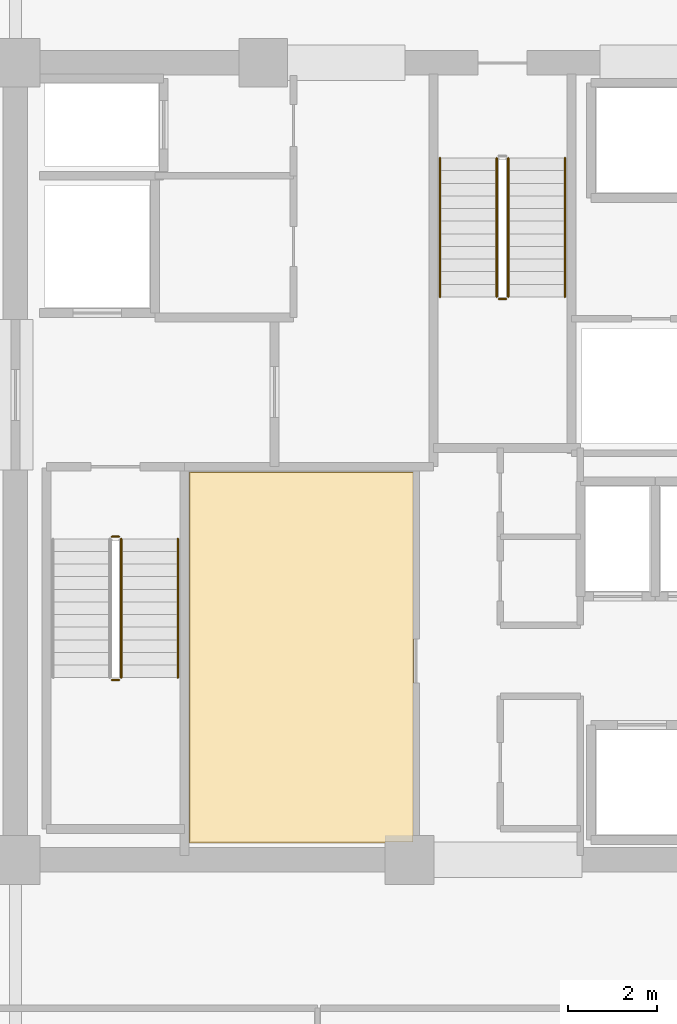
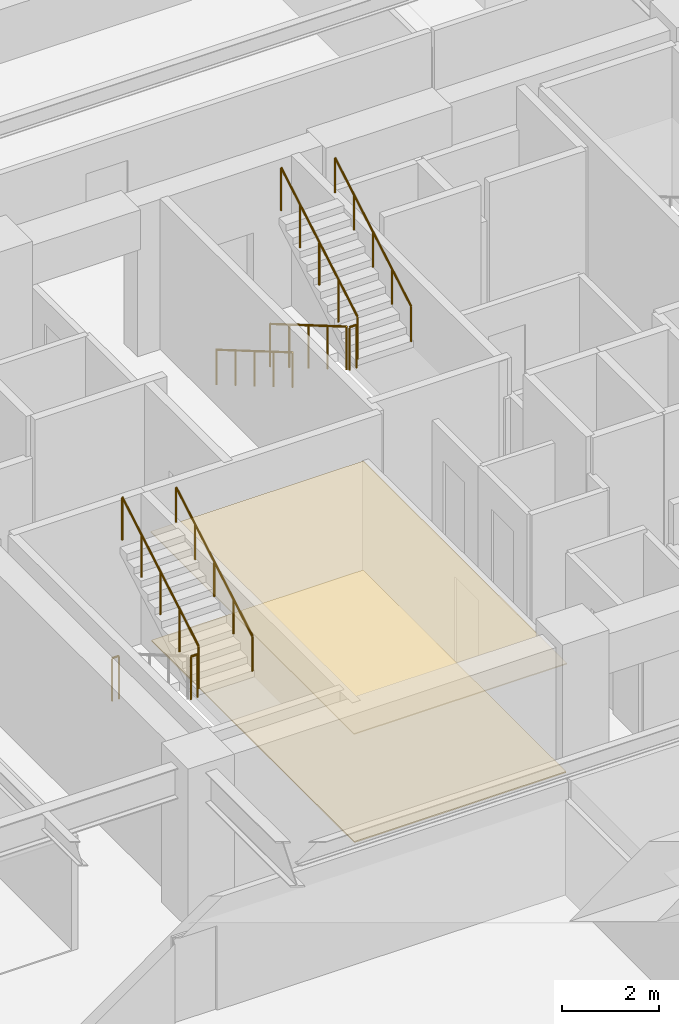
# One storey, part 19 of 23: 9 railings, 2 coverings.
"""IFC4 building model written with IfcOpenShell, lengths in metres."""

from ifc_helpers import new_model, si_unit, direction, frame, origin, origin_2d, place, context, subcontext, project, spatial, polyline, circle, outline, extrude, material, layer, layer_set, type_object, element, save


model = new_model("IFC4")

# Units and contexts
model_context = context("Model", 3, precision=1e-05, world=origin(), true_north=direction((0.0, 1.0)))
body_context = subcontext(model_context, "Body", "Model", "MODEL_VIEW")
ifc_project = project(units=[si_unit("LENGTHUNIT", "METRE"), si_unit("AREAUNIT", "SQUARE_METRE"), si_unit("VOLUMEUNIT", "CUBIC_METRE"), si_unit("PLANEANGLEUNIT", "RADIAN"), si_unit("MASSUNIT", "GRAM", prefix="KILO")], contexts=[model_context])

# Site, building, storey
site_placement = place(None, origin())
site = spatial("IfcSite", under=ifc_project, at=site_placement, CompositionType="ELEMENT")
building_placement = place(site_placement, origin())
building = spatial("IfcBuilding", under=site, at=building_placement, Name="Kovane Verandah Tower", CompositionType="ELEMENT")
storey_placement = place(building_placement, frame((0.0, 0.0, 140.39990234375)))
storey = spatial("IfcBuildingStorey", under=building, at=storey_placement, Name="L32", CompositionType="ELEMENT", Elevation=140.39990234375)

# Coverings
ifc_material_1 = material(Name="Perforated Acoustic Mineral-Fibre Ceiling Tile", Category="gypsum")
ifc_layer_1 = layer(ifc_material_1, 0.02490234375)
ifc_layer_set_1 = layer_set([ifc_layer_1], Name="Perforated Acoustic Mineral-Fibre Ceiling Tile")
covering_type_1 = type_object("IfcCoveringType", Name="CV-CEIL-25", PredefinedType="CEILING", material=ifc_layer_set_1)
covering_1_placement = place(storey_placement, frame((0.0, 0.0, 2.72998046875)))
element("IfcCovering", 1, at=covering_1_placement, inside=storey, type_object=covering_type_1, Name="L32 Tenant Wellness and Archive Suite Acoustic Ceiling", PredefinedType="CEILING", context=body_context, shape_type="SweptSolid", body=[
    extrude(outline(polyline([(32.93505859375, 18.885009765625), (37.9951171875, 18.885009765625), (37.9951171875, 27.264892578125), (32.93505859375, 27.264892578125), (32.93505859375, 18.885009765625)])), origin(), (0.0, 0.0, 1.0), 0.025146484375),
])
ifc_material_2 = material(Name="Polished Terrazzo and Raised-Access Carpet Tile Finish", Category="concrete")
ifc_layer_2 = layer(ifc_material_2, 0.030029296875)
ifc_layer_set_2 = layer_set([ifc_layer_2], Name="Polished Terrazzo and Raised-Access Carpet Tile Finish")
covering_type_2 = type_object("IfcCoveringType", Name="CV-FLOR-30", PredefinedType="FLOORING", material=ifc_layer_set_2)
covering_2_placement = place(storey_placement, origin())
element("IfcCovering", 2, at=covering_2_placement, inside=storey, type_object=covering_type_2, Name="L32 Tenant Wellness and Archive Suite Floor Finish", PredefinedType="FLOORING", context=body_context, shape_type="SweptSolid", body=[
    extrude(outline(polyline([(32.949951171875, 18.89990234375), (37.97998046875, 18.89990234375), (37.97998046875, 27.25), (32.949951171875, 27.25), (32.949951171875, 18.89990234375)])), origin(), (0.0, 0.0, 1.0), 0.030029296875),
])

# Railings
ifc_material_3 = material(Name="Brushed Stainless Steel Handrail", Category="steel")
railing_type_1 = type_object("IfcRailingType", Name="RL-HAND-920", PredefinedType="HANDRAIL", material=ifc_material_3)
railing_1_placement = place(storey_placement, frame((32.669921875, 22.614990234375, 2.166748046875)))
element("IfcRailing", 3, at=railing_1_placement, inside=storey, type_object=railing_type_1, Name="L32 ST-01 stair handrail 2", PredefinedType="HANDRAIL", context=body_context, shape_type="SweptSolid", body=[
    extrude(circle(Radius=0.02392578125, at=origin_2d()), frame((0.0, 0.0, 0.8759765625), z_axis=(0.0, 0.863239559939, 0.504794475164), x_axis=(-1.0, 0.0, 0.0)), (0.0, 0.0, 1.0), 3.631591796875),
    extrude(circle(Radius=0.02099609375, at=origin_2d()), origin(), (0.0, 0.0, 1.0), 0.851806640625),
    extrude(circle(Radius=0.02099609375, at=origin_2d()), frame((0.0, 0.78369140625, 0.458251953125)), (0.0, 0.0, 1.0), 0.851806640625),
    extrude(circle(Radius=0.02099609375, at=origin_2d()), frame((0.0, 1.5673828125, 0.91650390625)), (0.0, 0.0, 1.0), 0.851806640625),
    extrude(circle(Radius=0.02099609375, at=origin_2d()), frame((0.0, 2.351318359375, 1.375)), (0.0, 0.0, 1.0), 0.851806640625),
    extrude(circle(Radius=0.02099609375, at=origin_2d()), frame((0.0, 3.135009765625, 1.833251953125)), (0.0, 0.0, 1.0), 0.851806640625),
])
railing_2_placement = place(storey_placement, frame((38.590087890625, 34.35009765625, 0.166748046875)))
element("IfcRailing", 4, at=railing_2_placement, inside=storey, type_object=railing_type_1, Name="L32 ST-03 stair handrail 1", PredefinedType="HANDRAIL", context=body_context, shape_type="SweptSolid", body=[
    extrude(circle(Radius=0.02392578125, at=origin_2d()), frame((0.0, 0.0, 0.8759765625), z_axis=(0.0, -0.863239559939, 0.504794475164), x_axis=(1.0, 0.0, 0.0)), (0.0, 0.0, 1.0), 3.631591796875),
    extrude(circle(Radius=0.02099609375, at=origin_2d()), origin(), (0.0, 0.0, 1.0), 0.851806640625),
    extrude(circle(Radius=0.02099609375, at=origin_2d()), frame((0.0, -0.78369140625, 0.458251953125)), (0.0, 0.0, 1.0), 0.851806640625),
    extrude(circle(Radius=0.02099609375, at=origin_2d()), frame((0.0, -1.5673828125, 0.91650390625)), (0.0, 0.0, 1.0), 0.851806640625),
    extrude(circle(Radius=0.02099609375, at=origin_2d()), frame((0.0, -2.351318359375, 1.375)), (0.0, 0.0, 1.0), 0.851806640625),
    extrude(circle(Radius=0.02099609375, at=origin_2d()), frame((0.0, -3.135009765625, 1.833251953125)), (0.0, 0.0, 1.0), 0.851806640625),
])
railing_3_placement = place(storey_placement, frame((41.409912109375, 31.215087890625, 2.166748046875)))
element("IfcRailing", 5, at=railing_3_placement, inside=storey, type_object=railing_type_1, Name="L32 ST-03 stair handrail 2", PredefinedType="HANDRAIL", context=body_context, shape_type="SweptSolid", body=[
    extrude(circle(Radius=0.02392578125, at=origin_2d()), frame((0.0, 0.0, 0.8759765625), z_axis=(0.0, 0.863239559939, 0.504794475164), x_axis=(-1.0, 0.0, 0.0)), (0.0, 0.0, 1.0), 3.631591796875),
    extrude(circle(Radius=0.02099609375, at=origin_2d()), origin(), (0.0, 0.0, 1.0), 0.851806640625),
    extrude(circle(Radius=0.02099609375, at=origin_2d()), frame((0.0, 0.78369140625, 0.458251953125)), (0.0, 0.0, 1.0), 0.851806640625),
    extrude(circle(Radius=0.02099609375, at=origin_2d()), frame((0.0, 1.5673828125, 0.91650390625)), (0.0, 0.0, 1.0), 0.851806640625),
    extrude(circle(Radius=0.02099609375, at=origin_2d()), frame((0.0, 2.351318359375, 1.375)), (0.0, 0.0, 1.0), 0.851806640625),
    extrude(circle(Radius=0.02099609375, at=origin_2d()), frame((0.0, 3.135009765625, 1.833251953125)), (0.0, 0.0, 1.0), 0.851806640625),
])
ifc_material_4 = material(Name="Painted Steel Stairwell Guardrail", Category="steel")
railing_type_2 = type_object("IfcRailingType", Name="RL-STGUARD-1120", PredefinedType="GUARDRAIL", material=ifc_material_4)
railing_4_placement = place(storey_placement, frame((31.179931640625, 22.56494140625, 2.0)))
element("IfcRailing", 6, at=railing_4_placement, inside=storey, type_object=railing_type_2, Name="L32 ST-01 stair guard 2", PredefinedType="GUARDRAIL", context=body_context, shape_type="SweptSolid", body=[
    extrude(circle(Radius=0.02392578125, at=origin_2d()), frame((0.0, 0.0, 1.076171875), z_axis=(1.0, 0.0, 0.0), x_axis=(0.0, 1.0, 0.0)), (0.0, 0.0, 1.0), 0.16015625),
    extrude(circle(Radius=0.02099609375, at=origin_2d()), origin(), (0.0, 0.0, 1.0), 1.052001953125),
    extrude(circle(Radius=0.02099609375, at=origin_2d()), frame((0.16015625, 0.0, 0.0)), (0.0, 0.0, 1.0), 1.052001953125),
])
railing_5_placement = place(storey_placement, frame((31.389892578125, 22.614990234375, 2.166748046875)))
element("IfcRailing", 7, at=railing_5_placement, inside=storey, type_object=railing_type_2, Name="L32 ST-01 stair guard 3", PredefinedType="GUARDRAIL", context=body_context, shape_type="SweptSolid", body=[
    extrude(circle(Radius=0.02392578125, at=origin_2d()), frame((0.0, 0.0, 1.076171875), z_axis=(0.0, 0.863239559939, 0.504794475164), x_axis=(-1.0, 0.0, 0.0)), (0.0, 0.0, 1.0), 3.631591796875),
    extrude(circle(Radius=0.02099609375, at=origin_2d()), origin(), (0.0, 0.0, 1.0), 1.052001953125),
    extrude(circle(Radius=0.02099609375, at=origin_2d()), frame((0.0, 0.78369140625, 0.458251953125)), (0.0, 0.0, 1.0), 1.052001953125),
    extrude(circle(Radius=0.02099609375, at=origin_2d()), frame((0.0, 1.5673828125, 0.91650390625)), (0.0, 0.0, 1.0), 1.052001953125),
    extrude(circle(Radius=0.02099609375, at=origin_2d()), frame((0.0, 2.351318359375, 1.375)), (0.0, 0.0, 1.0), 1.052001953125),
    extrude(circle(Radius=0.02099609375, at=origin_2d()), frame((0.0, 3.135009765625, 1.833251953125)), (0.0, 0.0, 1.0), 1.052001953125),
])
railing_6_placement = place(storey_placement, frame((31.179931640625, 25.800048828125, 0.0)))
element("IfcRailing", 8, at=railing_6_placement, inside=storey, type_object=railing_type_2, Name="L32 ST-01 stair guard 4", PredefinedType="GUARDRAIL", context=body_context, shape_type="SweptSolid", body=[
    extrude(circle(Radius=0.02392578125, at=origin_2d()), frame((0.0, 0.0, 1.076171875), z_axis=(1.0, 0.0, 0.0), x_axis=(0.0, 1.0, 0.0)), (0.0, 0.0, 1.0), 0.16015625),
    extrude(circle(Radius=0.02099609375, at=origin_2d()), origin(), (0.0, 0.0, 1.0), 1.052001953125),
    extrude(circle(Radius=0.02099609375, at=origin_2d()), frame((0.16015625, 0.0, 0.0)), (0.0, 0.0, 1.0), 1.052001953125),
])
railing_7_placement = place(storey_placement, frame((39.8701171875, 34.35009765625, 0.166748046875)))
element("IfcRailing", 9, at=railing_7_placement, inside=storey, type_object=railing_type_2, Name="L32 ST-03 stair guard 1", PredefinedType="GUARDRAIL", context=body_context, shape_type="SweptSolid", body=[
    extrude(circle(Radius=0.02392578125, at=origin_2d()), frame((0.0, 0.0, 1.076171875), z_axis=(0.0, -0.863239559939, 0.504794475164), x_axis=(1.0, 0.0, 0.0)), (0.0, 0.0, 1.0), 3.631591796875),
    extrude(circle(Radius=0.02099609375, at=origin_2d()), origin(), (0.0, 0.0, 1.0), 1.052001953125),
    extrude(circle(Radius=0.02099609375, at=origin_2d()), frame((0.0, -0.78369140625, 0.458251953125)), (0.0, 0.0, 1.0), 1.052001953125),
    extrude(circle(Radius=0.02099609375, at=origin_2d()), frame((0.0, -1.5673828125, 0.91650390625)), (0.0, 0.0, 1.0), 1.052001953125),
    extrude(circle(Radius=0.02099609375, at=origin_2d()), frame((0.0, -2.351318359375, 1.375)), (0.0, 0.0, 1.0), 1.052001953125),
    extrude(circle(Radius=0.02099609375, at=origin_2d()), frame((0.0, -3.135009765625, 1.833251953125)), (0.0, 0.0, 1.0), 1.052001953125),
])
railing_8_placement = place(storey_placement, frame((39.919921875, 31.1650390625, 2.0)))
element("IfcRailing", 10, at=railing_8_placement, inside=storey, type_object=railing_type_2, Name="L32 ST-03 stair guard 2", PredefinedType="GUARDRAIL", context=body_context, shape_type="SweptSolid", body=[
    extrude(circle(Radius=0.02392578125, at=origin_2d()), frame((0.0, 0.0, 1.076171875), z_axis=(1.0, 0.0, 0.0), x_axis=(0.0, 1.0, 0.0)), (0.0, 0.0, 1.0), 0.16015625),
    extrude(circle(Radius=0.02099609375, at=origin_2d()), origin(), (0.0, 0.0, 1.0), 1.052001953125),
    extrude(circle(Radius=0.02099609375, at=origin_2d()), frame((0.16015625, 0.0, 0.0)), (0.0, 0.0, 1.0), 1.052001953125),
])
railing_9_placement = place(storey_placement, frame((40.1298828125, 31.215087890625, 2.166748046875)))
element("IfcRailing", 11, at=railing_9_placement, inside=storey, type_object=railing_type_2, Name="L32 ST-03 stair guard 3", PredefinedType="GUARDRAIL", context=body_context, shape_type="SweptSolid", body=[
    extrude(circle(Radius=0.02392578125, at=origin_2d()), frame((0.0, 0.0, 1.076171875), z_axis=(0.0, 0.863239559939, 0.504794475164), x_axis=(-1.0, 0.0, 0.0)), (0.0, 0.0, 1.0), 3.631591796875),
    extrude(circle(Radius=0.02099609375, at=origin_2d()), origin(), (0.0, 0.0, 1.0), 1.052001953125),
    extrude(circle(Radius=0.02099609375, at=origin_2d()), frame((0.0, 0.78369140625, 0.458251953125)), (0.0, 0.0, 1.0), 1.052001953125),
    extrude(circle(Radius=0.02099609375, at=origin_2d()), frame((0.0, 1.5673828125, 0.91650390625)), (0.0, 0.0, 1.0), 1.052001953125),
    extrude(circle(Radius=0.02099609375, at=origin_2d()), frame((0.0, 2.351318359375, 1.375)), (0.0, 0.0, 1.0), 1.052001953125),
    extrude(circle(Radius=0.02099609375, at=origin_2d()), frame((0.0, 3.135009765625, 1.833251953125)), (0.0, 0.0, 1.0), 1.052001953125),
])

save(model, "model.ifc")
